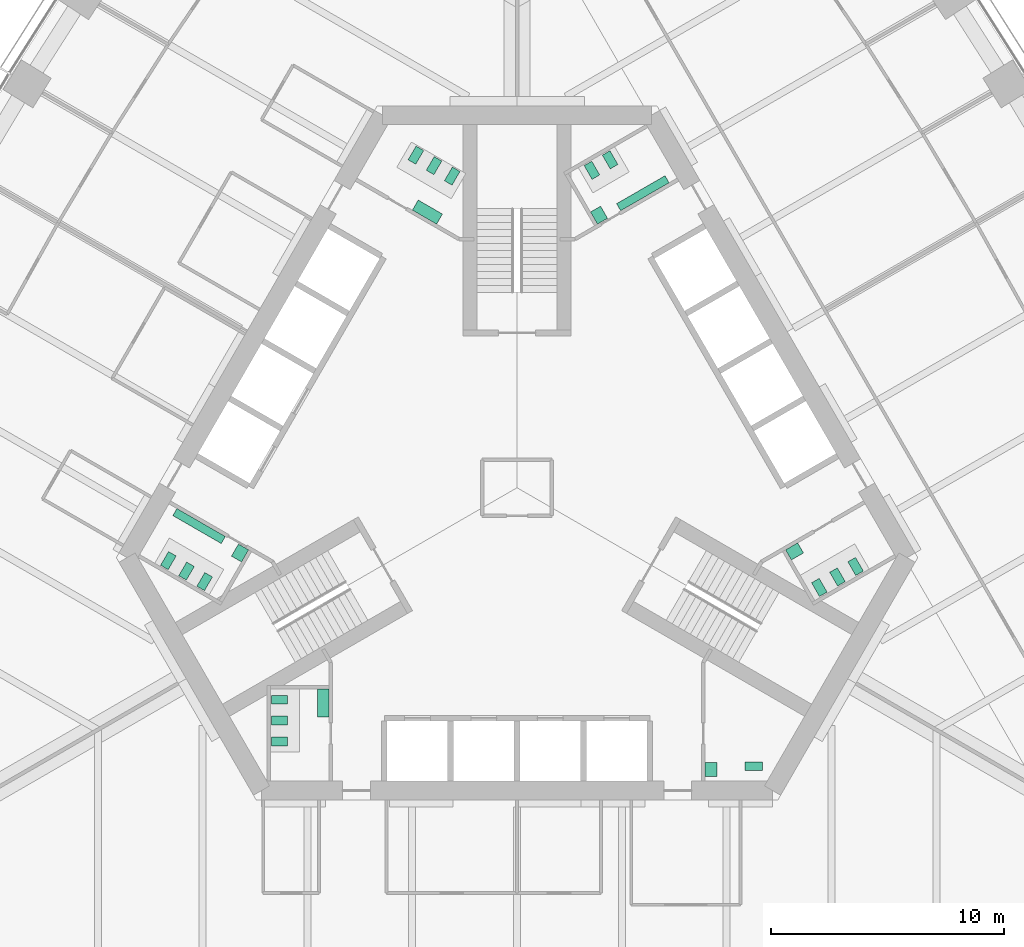
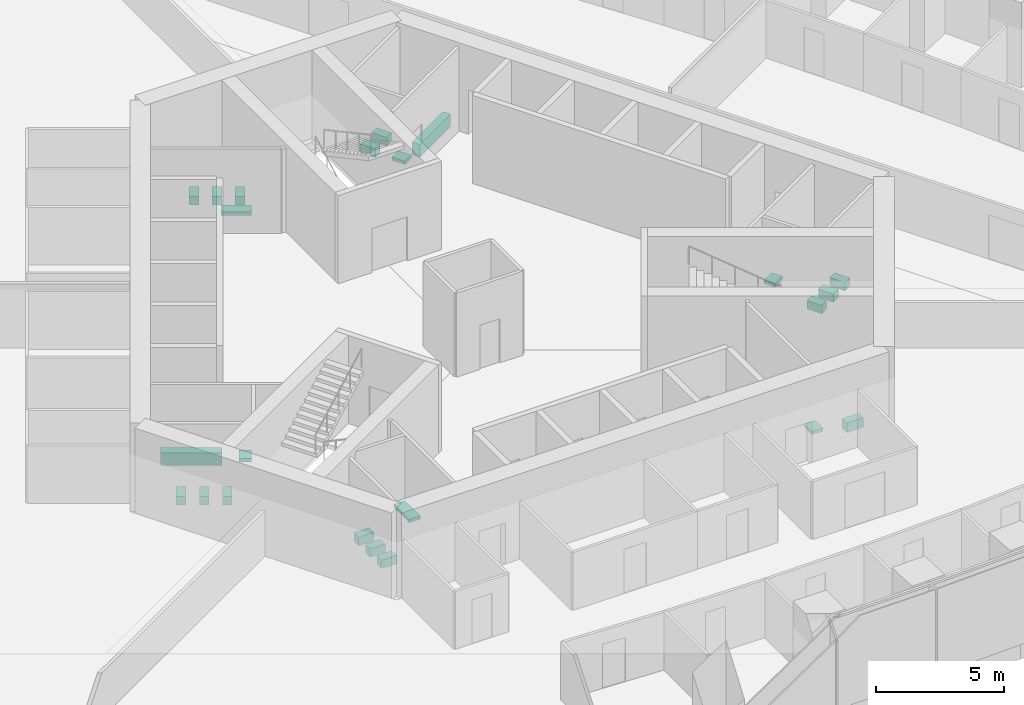
# One storey, part 17 of 18: 23 sanitary terminals.
"""IFC4 building model written with IfcOpenShell, lengths in metres."""

from ifc_helpers import new_model, si_unit, direction, frame, origin, place, context, subcontext, project, spatial, polyline, outline, extrude, material, type_object, element, save


model = new_model("IFC4")

# Units and contexts
model_context = context("Model", 3, precision=1e-05, world=origin(), true_north=direction((0.0, 1.0)))
body_context = subcontext(model_context, "Body", "Model", "MODEL_VIEW")
ifc_project = project(units=[si_unit("LENGTHUNIT", "METRE"), si_unit("AREAUNIT", "SQUARE_METRE"), si_unit("VOLUMEUNIT", "CUBIC_METRE"), si_unit("PLANEANGLEUNIT", "RADIAN"), si_unit("MASSUNIT", "GRAM", prefix="KILO")], contexts=[model_context])

# Site, building, storey
site_placement = place(None, origin())
site = spatial("IfcSite", under=ifc_project, at=site_placement, CompositionType="ELEMENT")
building_placement = place(site_placement, origin())
building = spatial("IfcBuilding", under=site, at=building_placement, Name="Trefoil Bronze Tower", CompositionType="ELEMENT")
storey_placement = place(building_placement, frame((0.0, 0.0, 41.699951171875)))
storey = spatial("IfcBuildingStorey", under=building, at=storey_placement, Name="L09", CompositionType="ELEMENT", Elevation=41.699951171875)

# Sanitary terminals
ifc_material_1 = material(Name="Vitreous china", Category="ceramic")
sanitary_terminal_type_1 = type_object("IfcSanitaryTerminalType", Name="Accessible WC pan", PredefinedType="TOILETPAN", material=ifc_material_1)
sanitary_terminal_1_placement = place(storey_placement, origin())
element("IfcSanitaryTerminal", 1, at=sanitary_terminal_1_placement, inside=storey, type_object=sanitary_terminal_type_1, Name="WC pan 1 Accessible WC L09", PredefinedType="TOILETPAN", context=body_context, shape_type="SweptSolid", body=[
    extrude(outline(polyline([(9.784912109375, -11.77001953125), (10.534912109375, -11.77001953125), (10.534912109375, -12.14990234375), (9.784912109375, -12.14990234375), (9.784912109375, -11.77001953125)])), origin(), (0.0, 0.0, 1.0), 0.449951171875),
])
ifc_material_2 = material(Name="Vitreous china", Category="ceramic")
sanitary_terminal_type_2 = type_object("IfcSanitaryTerminalType", Name="Accessible basin", PredefinedType="WASHHANDBASIN", material=ifc_material_2)
sanitary_terminal_2_placement = place(storey_placement, frame((0.0, 0.0, 0.650146484375)))
element("IfcSanitaryTerminal", 2, at=sanitary_terminal_2_placement, inside=storey, type_object=sanitary_terminal_type_2, Name="Wash basin Accessible WC L09", PredefinedType="WASHHANDBASIN", context=body_context, shape_type="SweptSolid", body=[
    extrude(outline(polyline([(8.074951171875, -11.800048828125), (8.574951171875, -11.800048828125), (8.574951171875, -12.39990234375), (8.074951171875, -12.39990234375), (8.074951171875, -11.800048828125)])), origin(), (0.0, 0.0, 1.0), 0.14990234375),
])
ifc_material_3 = material(Name="Vitreous china", Category="ceramic")
sanitary_terminal_type_3 = type_object("IfcSanitaryTerminalType", Name="Urinal range 4 urinals", PredefinedType="URINAL", material=ifc_material_3)
sanitary_terminal_3_placement = place(storey_placement, frame((0.0, 0.0, 0.400146484375)))
element("IfcSanitaryTerminal", 3, at=sanitary_terminal_3_placement, inside=storey, type_object=sanitary_terminal_type_3, Name="Urinal range WC (men) L09", PredefinedType="URINAL", context=body_context, shape_type="SweptSolid", body=[
    extrude(outline(polyline([(4.449462890625, 11.89306640625), (4.274658203125, 12.1962890625), (6.35302734375, 13.396240234375), (6.528076171875, 13.09326171875), (4.449462890625, 11.89306640625)])), origin(), (0.0, 0.0, 1.0), 0.599853515625),
])
sanitary_terminal_4_placement = place(storey_placement, frame((0.0, 0.0, 0.400146484375)))
element("IfcSanitaryTerminal", 4, at=sanitary_terminal_4_placement, inside=storey, type_object=sanitary_terminal_type_3, Name="Urinal range WC (men) L09", PredefinedType="URINAL", context=body_context, shape_type="SweptSolid", body=[
    extrude(outline(polyline([(-12.524658203125, -2.09326171875), (-12.699462890625, -2.396240234375), (-14.778076171875, -1.1962890625), (-14.60302734375, -0.89306640625), (-12.524658203125, -2.09326171875)])), origin(), (0.0, 0.0, 1.0), 0.599853515625),
])
ifc_material_4 = material(Name="Solid surface vanity", Category="plastic")
sanitary_terminal_type_4 = type_object("IfcSanitaryTerminalType", Name="Vanity unit 1 basins", PredefinedType="WASHHANDBASIN", material=ifc_material_4)
sanitary_terminal_5_placement = place(storey_placement, frame((0.0, 0.0, 0.75)))
element("IfcSanitaryTerminal", 5, at=sanitary_terminal_5_placement, inside=storey, type_object=sanitary_terminal_type_4, Name="Vanity unit WC (women) L09", PredefinedType="WASHHANDBASIN", context=body_context, shape_type="SweptSolid", body=[
    extrude(outline(polyline([(11.528564453125, -2.668212890625), (11.778564453125, -3.10107421875), (12.29833984375, -2.80126953125), (12.04833984375, -2.3681640625), (11.528564453125, -2.668212890625)])), origin(), (0.0, 0.0, 1.0), 0.150146484375),
])
sanitary_terminal_6_placement = place(storey_placement, frame((0.0, 0.0, 0.75)))
element("IfcSanitaryTerminal", 6, at=sanitary_terminal_6_placement, inside=storey, type_object=sanitary_terminal_type_4, Name="Vanity unit WC (men) L09", PredefinedType="WASHHANDBASIN", context=body_context, shape_type="SweptSolid", body=[
    extrude(outline(polyline([(3.45361328125, 11.318115234375), (3.153564453125, 11.837890625), (3.586669921875, 12.087890625), (3.88671875, 11.568115234375), (3.45361328125, 11.318115234375)])), origin(), (0.0, 0.0, 1.0), 0.150146484375),
])
sanitary_terminal_7_placement = place(storey_placement, frame((0.0, 0.0, 0.75)))
element("IfcSanitaryTerminal", 7, at=sanitary_terminal_7_placement, inside=storey, type_object=sanitary_terminal_type_4, Name="Vanity unit WC (men) L09", PredefinedType="WASHHANDBASIN", context=body_context, shape_type="SweptSolid", body=[
    extrude(outline(polyline([(-11.528564453125, -2.668212890625), (-11.82861328125, -3.187744140625), (-12.26171875, -2.937744140625), (-11.961669921875, -2.418212890625), (-11.528564453125, -2.668212890625)])), origin(), (0.0, 0.0, 1.0), 0.150146484375),
])
ifc_material_5 = material(Name="Solid surface vanity", Category="plastic")
sanitary_terminal_type_5 = type_object("IfcSanitaryTerminalType", Name="Vanity unit 2 basins", PredefinedType="WASHHANDBASIN", material=ifc_material_5)
sanitary_terminal_8_placement = place(storey_placement, frame((0.0, 0.0, 0.75)))
element("IfcSanitaryTerminal", 8, at=sanitary_terminal_8_placement, inside=storey, type_object=sanitary_terminal_type_5, Name="Vanity unit WC (women) L09", PredefinedType="WASHHANDBASIN", context=body_context, shape_type="SweptSolid", body=[
    extrude(outline(polyline([(-3.45361328125, 11.318115234375), (-3.20361328125, 11.751220703125), (-4.242919921875, 12.35107421875), (-4.492919921875, 11.918212890625), (-3.45361328125, 11.318115234375)])), origin(), (0.0, 0.0, 1.0), 0.150146484375),
])
sanitary_terminal_9_placement = place(storey_placement, frame((0.0, 0.0, 0.75)))
element("IfcSanitaryTerminal", 9, at=sanitary_terminal_9_placement, inside=storey, type_object=sanitary_terminal_type_5, Name="Vanity unit WC (women) L09", PredefinedType="WASHHANDBASIN", context=body_context, shape_type="SweptSolid", body=[
    extrude(outline(polyline([(-8.074951171875, -8.64990234375), (-8.574951171875, -8.64990234375), (-8.574951171875, -9.85009765625), (-8.074951171875, -9.85009765625), (-8.074951171875, -8.64990234375)])), origin(), (0.0, 0.0, 1.0), 0.150146484375),
])
ifc_material_6 = material(Name="Vitreous china", Category="ceramic")
sanitary_terminal_type_6 = type_object("IfcSanitaryTerminalType", Name="WC pan", PredefinedType="TOILETPAN", material=ifc_material_6)
sanitary_terminal_10_placement = place(storey_placement, origin())
element("IfcSanitaryTerminal", 10, at=sanitary_terminal_10_placement, inside=storey, type_object=sanitary_terminal_type_6, Name="WC pan 1 WC (women) L09", PredefinedType="TOILETPAN", context=body_context, shape_type="SweptSolid", body=[
    extrude(outline(polyline([(12.643798828125, -4.07958984375), (12.98388671875, -4.66845703125), (13.31298828125, -4.478515625), (12.972900390625, -3.8896484375), (12.643798828125, -4.07958984375)])), origin(), (0.0, 0.0, 1.0), 0.400146484375),
])
sanitary_terminal_11_placement = place(storey_placement, origin())
element("IfcSanitaryTerminal", 11, at=sanitary_terminal_11_placement, inside=storey, type_object=sanitary_terminal_type_6, Name="WC pan 2 WC (women) L09", PredefinedType="TOILETPAN", context=body_context, shape_type="SweptSolid", body=[
    extrude(outline(polyline([(13.423095703125, -3.629638671875), (13.76318359375, -4.218505859375), (14.09228515625, -4.028564453125), (13.752197265625, -3.439697265625), (13.423095703125, -3.629638671875)])), origin(), (0.0, 0.0, 1.0), 0.400146484375),
])
sanitary_terminal_12_placement = place(storey_placement, origin())
element("IfcSanitaryTerminal", 12, at=sanitary_terminal_12_placement, inside=storey, type_object=sanitary_terminal_type_6, Name="WC pan 3 WC (women) L09", PredefinedType="TOILETPAN", context=body_context, shape_type="SweptSolid", body=[
    extrude(outline(polyline([(14.20263671875, -3.1796875), (14.542724609375, -3.7685546875), (14.871826171875, -3.57861328125), (14.53173828125, -2.98974609375), (14.20263671875, -3.1796875)])), origin(), (0.0, 0.0, 1.0), 0.400146484375),
])
sanitary_terminal_13_placement = place(storey_placement, origin())
element("IfcSanitaryTerminal", 13, at=sanitary_terminal_13_placement, inside=storey, type_object=sanitary_terminal_type_6, Name="WC pan 1 WC (men) L09", PredefinedType="TOILETPAN", context=body_context, shape_type="SweptSolid", body=[
    extrude(outline(polyline([(3.2216796875, 13.23974609375), (2.8818359375, 13.82861328125), (3.2109375, 14.0185546875), (3.55078125, 13.4296875), (3.2216796875, 13.23974609375)])), origin(), (0.0, 0.0, 1.0), 0.400146484375),
])
sanitary_terminal_14_placement = place(storey_placement, origin())
element("IfcSanitaryTerminal", 14, at=sanitary_terminal_14_placement, inside=storey, type_object=sanitary_terminal_type_6, Name="WC pan 2 WC (men) L09", PredefinedType="TOILETPAN", context=body_context, shape_type="SweptSolid", body=[
    extrude(outline(polyline([(4.001220703125, 13.689697265625), (3.6611328125, 14.278564453125), (3.990234375, 14.468505859375), (4.330322265625, 13.879638671875), (4.001220703125, 13.689697265625)])), origin(), (0.0, 0.0, 1.0), 0.400146484375),
])
sanitary_terminal_15_placement = place(storey_placement, origin())
element("IfcSanitaryTerminal", 15, at=sanitary_terminal_15_placement, inside=storey, type_object=sanitary_terminal_type_6, Name="WC pan 1 WC (women) L09", PredefinedType="TOILETPAN", context=body_context, shape_type="SweptSolid", body=[
    extrude(outline(polyline([(-2.788818359375, 12.98974609375), (-2.44873046875, 13.57861328125), (-2.77783203125, 13.7685546875), (-3.117919921875, 13.1796875), (-2.788818359375, 12.98974609375)])), origin(), (0.0, 0.0, 1.0), 0.400146484375),
])
sanitary_terminal_16_placement = place(storey_placement, origin())
element("IfcSanitaryTerminal", 16, at=sanitary_terminal_16_placement, inside=storey, type_object=sanitary_terminal_type_6, Name="WC pan 2 WC (women) L09", PredefinedType="TOILETPAN", context=body_context, shape_type="SweptSolid", body=[
    extrude(outline(polyline([(-3.568115234375, 13.439697265625), (-3.228271484375, 14.028564453125), (-3.557373046875, 14.218505859375), (-3.897216796875, 13.629638671875), (-3.568115234375, 13.439697265625)])), origin(), (0.0, 0.0, 1.0), 0.400146484375),
])
sanitary_terminal_17_placement = place(storey_placement, origin())
element("IfcSanitaryTerminal", 17, at=sanitary_terminal_17_placement, inside=storey, type_object=sanitary_terminal_type_6, Name="WC pan 3 WC (women) L09", PredefinedType="TOILETPAN", context=body_context, shape_type="SweptSolid", body=[
    extrude(outline(polyline([(-4.34765625, 13.8896484375), (-4.007568359375, 14.478515625), (-4.336669921875, 14.66845703125), (-4.6767578125, 14.07958984375), (-4.34765625, 13.8896484375)])), origin(), (0.0, 0.0, 1.0), 0.400146484375),
])
sanitary_terminal_18_placement = place(storey_placement, origin())
element("IfcSanitaryTerminal", 18, at=sanitary_terminal_18_placement, inside=storey, type_object=sanitary_terminal_type_6, Name="WC pan 1 WC (men) L09", PredefinedType="TOILETPAN", context=body_context, shape_type="SweptSolid", body=[
    extrude(outline(polyline([(-13.076904296875, -3.82958984375), (-13.416748046875, -4.41845703125), (-13.745849609375, -4.228515625), (-13.406005859375, -3.6396484375), (-13.076904296875, -3.82958984375)])), origin(), (0.0, 0.0, 1.0), 0.400146484375),
])
sanitary_terminal_19_placement = place(storey_placement, origin())
element("IfcSanitaryTerminal", 19, at=sanitary_terminal_19_placement, inside=storey, type_object=sanitary_terminal_type_6, Name="WC pan 2 WC (men) L09", PredefinedType="TOILETPAN", context=body_context, shape_type="SweptSolid", body=[
    extrude(outline(polyline([(-13.856201171875, -3.379638671875), (-14.1962890625, -3.968505859375), (-14.525390625, -3.778564453125), (-14.185302734375, -3.189697265625), (-13.856201171875, -3.379638671875)])), origin(), (0.0, 0.0, 1.0), 0.400146484375),
])
sanitary_terminal_20_placement = place(storey_placement, origin())
element("IfcSanitaryTerminal", 20, at=sanitary_terminal_20_placement, inside=storey, type_object=sanitary_terminal_type_6, Name="WC pan 3 WC (men) L09", PredefinedType="TOILETPAN", context=body_context, shape_type="SweptSolid", body=[
    extrude(outline(polyline([(-14.6357421875, -2.9296875), (-14.9755859375, -3.5185546875), (-15.3046875, -3.32861328125), (-14.96484375, -2.73974609375), (-14.6357421875, -2.9296875)])), origin(), (0.0, 0.0, 1.0), 0.400146484375),
])
sanitary_terminal_21_placement = place(storey_placement, origin())
element("IfcSanitaryTerminal", 21, at=sanitary_terminal_21_placement, inside=storey, type_object=sanitary_terminal_type_6, Name="WC pan 1 WC (women) L09", PredefinedType="TOILETPAN", context=body_context, shape_type="SweptSolid", body=[
    extrude(outline(polyline([(-9.85498046875, -8.909912109375), (-10.534912109375, -8.909912109375), (-10.534912109375, -9.2900390625), (-9.85498046875, -9.2900390625), (-9.85498046875, -8.909912109375)])), origin(), (0.0, 0.0, 1.0), 0.400146484375),
])
sanitary_terminal_22_placement = place(storey_placement, origin())
element("IfcSanitaryTerminal", 22, at=sanitary_terminal_22_placement, inside=storey, type_object=sanitary_terminal_type_6, Name="WC pan 2 WC (women) L09", PredefinedType="TOILETPAN", context=body_context, shape_type="SweptSolid", body=[
    extrude(outline(polyline([(-9.85498046875, -9.81005859375), (-10.534912109375, -9.81005859375), (-10.534912109375, -10.18994140625), (-9.85498046875, -10.18994140625), (-9.85498046875, -9.81005859375)])), origin(), (0.0, 0.0, 1.0), 0.400146484375),
])
sanitary_terminal_23_placement = place(storey_placement, origin())
element("IfcSanitaryTerminal", 23, at=sanitary_terminal_23_placement, inside=storey, type_object=sanitary_terminal_type_6, Name="WC pan 3 WC (women) L09", PredefinedType="TOILETPAN", context=body_context, shape_type="SweptSolid", body=[
    extrude(outline(polyline([(-9.85498046875, -10.7099609375), (-10.534912109375, -10.7099609375), (-10.534912109375, -11.090087890625), (-9.85498046875, -11.090087890625), (-9.85498046875, -10.7099609375)])), origin(), (0.0, 0.0, 1.0), 0.400146484375),
])

save(model, "model.ifc")
